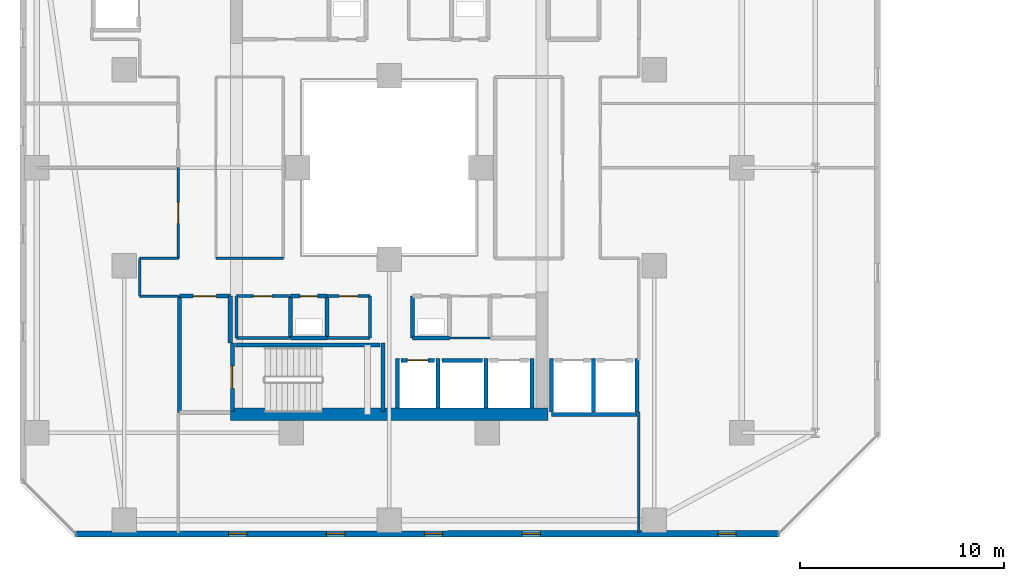
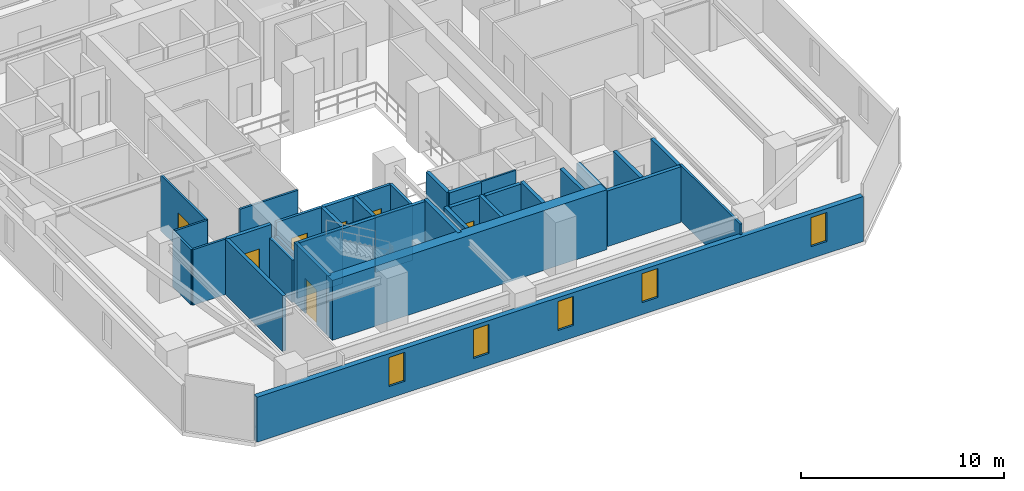
# One storey, part 16 of 31: 37 walls, 7 doors, 5 windows, 12 openings.
"""IFC4 building model written with IfcOpenShell, lengths in metres."""

from ifc_helpers import new_model, si_unit, direction, frame, frame_2d, origin, place, context, subcontext, project, spatial, rectangle, extrude, material, layer, layer_set, type_object, element, fill, save


model = new_model("IFC4")

# Units and contexts
model_context = context("Model", 3, precision=1e-05, world=origin(), true_north=direction((0.0, 1.0)))
body_context = subcontext(model_context, "Body", "Model", "MODEL_VIEW")
ifc_project = project(units=[si_unit("LENGTHUNIT", "METRE"), si_unit("AREAUNIT", "SQUARE_METRE"), si_unit("VOLUMEUNIT", "CUBIC_METRE"), si_unit("PLANEANGLEUNIT", "RADIAN"), si_unit("MASSUNIT", "GRAM", prefix="KILO")], contexts=[model_context])

# Site, building, storey
site_placement = place(None, origin())
site = spatial("IfcSite", under=ifc_project, at=site_placement, CompositionType="ELEMENT")
building_placement = place(site_placement, origin())
building = spatial("IfcBuilding", under=site, at=building_placement, Name="Thornwick Lancets Civic Towers", CompositionType="ELEMENT")
storey_placement = place(building_placement, frame((0.0, 0.0, 90.89990234375)))
storey = spatial("IfcBuildingStorey", under=building, at=storey_placement, Name="L23", CompositionType="ELEMENT", Elevation=90.89990234375)

# Wall, opening, door
ifc_material_1 = material(Name="Concrete blockwork C40/50", Category="masonry")
ifc_layer_1 = layer(ifc_material_1, 0.199951171875, Name="Concrete blockwork C40/50")
ifc_layer_set_1 = layer_set([ifc_layer_1], Name="Concrete blockwork C40/50")
wall_type_1 = type_object("IfcWallType", Name="WALL_COMP_200", PredefinedType="STANDARD", material=ifc_layer_set_1)
wall_1_placement = place(storey_placement, frame((26.080078125, 17.550048828125, 0.0), z_axis=(0.0, 0.0, 1.0), x_axis=(1.0, 0.0, 0.0)))
wall_1 = element("IfcWall", 1, at=wall_1_placement, inside=storey, type_object=wall_type_1, Name="L23 Hoistway Front Wall FL-A1", PredefinedType="STANDARD", context=body_context, shape_type="SweptSolid", body=[
    extrude(rectangle(XDim=1.639892578125, YDim=0.199951171875, at=frame_2d((0.81982421875, 0.0))), origin(), (0.0, 0.0, 1.0), 3.340087890625),
])
opening_1_placement = place(wall_1_placement, frame((0.31005859375, 0.0, 0.0)))
opening_1 = element("IfcOpeningElement", 2, at=opening_1_placement, cuts=wall_1, Name="Opening LD-FL-A1", PredefinedType="OPENING", context=body_context, shape_type="SweptSolid", body=[
    extrude(rectangle(XDim=1.02001953125, YDim=2.06005859375, at=frame_2d((0.510009765625, 1.030029296875))), frame((0.0, 0.10986328125, 0.0), z_axis=(0.0, -1.0, 0.0), x_axis=(1.0, 0.0, 0.0)), (0.0, 0.0, 1.0), 0.219970703125),
])
ifc_material_2 = material(Name="Brushed bronze stainless steel", Category="steel")
door_type_1 = type_object("IfcDoorType", Name="DOOR_LIFT_SLIDE", OperationType="SLIDING_TO_LEFT", PredefinedType="DOOR", material=ifc_material_2)
door_1_placement = place(opening_1_placement, origin())
door_1 = element("IfcDoor", 3, at=door_1_placement, inside=storey, type_object=door_type_1, Name="L23 Sliding Lift Landing Door LD-FL-A1", OperationType="SLIDING_TO_LEFT", OverallHeight=2.06005859375, OverallWidth=1.02001953125, PredefinedType="DOOR", context=body_context, shape_type="SweptSolid", body=[
    extrude(rectangle(XDim=1.02001953125, YDim=2.06005859375, at=frame_2d((0.510009765625, 1.030029296875))), frame((0.0, 0.02490234375, 0.0), z_axis=(0.0, -1.0, 0.0), x_axis=(1.0, 0.0, 0.0)), (0.0, 0.0, 1.0), 0.050048828125),
])
fill(opening_1, door_1)

# Walls
wall_2_placement = place(storey_placement, frame((28.080078125, 17.550048828125, 0.0), z_axis=(0.0, 0.0, 1.0), x_axis=(1.0, 0.0, 0.0)))
element("IfcWall", 4, at=wall_2_placement, inside=storey, type_object=wall_type_1, Name="L23 Hoistway Front Wall PL-AH1", PredefinedType="STANDARD", context=body_context, shape_type="SweptSolid", body=[
    extrude(rectangle(XDim=1.989990234375, YDim=0.199951171875, at=frame_2d((0.9951171875, 0.0))), origin(), (0.0, 0.0, 1.0), 3.340087890625),
])
for number, where, z_axis, x_axis, name in (
    (5, (27.89990234375, 15.2119140625, 0.0), (0.0, 0.0, 1.0), (0.0, 1.0, 0.0), "L23 Hoistway Shaft Wall FL-A1 E"),
    (6, (25.89990234375, 15.2119140625, 0.0), (0.0, 0.0, 1.0), (0.0, 1.0, 0.0), "L23 Hoistway Shaft Wall FL-A1 W"),
    (7, (30.25, 15.2119140625, 0.0), (0.0, 0.0, 1.0), (0.0, 1.0, 0.0), "L23 Hoistway Shaft Wall PL-AH1 E"),
    (8, (32.5, 15.2119140625, 0.0), (0.0, 0.0, 1.0), (0.0, 1.0, 0.0), "L23 Hoistway Shaft Wall PL-AL1 E"),
):
    element("IfcWall", number, at=place(storey_placement, frame(where, z_axis=z_axis, x_axis=x_axis)), inside=storey, type_object=wall_type_1, Name=name, PredefinedType="STANDARD", context=body_context, shape_type="SweptSolid", body=[
        extrude(rectangle(XDim=2.43603515625, YDim=0.199951171875, at=frame_2d((1.218017578125, 0.0))), origin(), (0.0, 0.0, 1.0), 3.340087890625),
    ])
wall_3_placement = place(storey_placement, frame((33.451904296875, 14.89990234375, 0.0), z_axis=(0.0, 0.0, 1.0), x_axis=(1.0, 0.0, 0.0)))
element("IfcWall", 9, at=wall_3_placement, inside=storey, type_object=wall_type_1, Name="L23 Hoistway Shaft Wall PL-AL2 S", PredefinedType="STANDARD", context=body_context, shape_type="SweptSolid", body=[
    extrude(rectangle(XDim=4.196044921875, YDim=0.199951171875, at=frame_2d((2.09814453125, 0.0))), origin(), (0.0, 0.0, 1.0), 3.340087890625),
])
for number, where, z_axis, x_axis, name in (
    (10, (35.52490234375, 15.011962890625, 0.0), (0.0, 0.0, 1.0), (0.0, 1.0, 0.0), "L23 Hoistway Shaft Wall PL-AL2 E"),
    (11, (33.449951171875, 15.011962890625, 0.0), (0.0, 0.0, 1.0), (0.0, 1.0, 0.0), "L23 Hoistway Shaft Wall PL-AL2 W"),
    (12, (37.64990234375, 15.011962890625, 0.0), (0.0, 0.0, 1.0), (0.0, 1.0, 0.0), "L23 Hoistway Shaft Wall PL-AL3 E"),
):
    element("IfcWall", number, at=place(storey_placement, frame(where, z_axis=z_axis, x_axis=x_axis)), inside=storey, type_object=wall_type_1, Name=name, PredefinedType="STANDARD", context=body_context, shape_type="SweptSolid", body=[
        extrude(rectangle(XDim=2.635986328125, YDim=0.199951171875, at=frame_2d((1.31787109375, 0.0))), origin(), (0.0, 0.0, 1.0), 3.340087890625),
    ])
wall_4_placement = place(storey_placement, frame((17.699951171875, 18.39990234375, 0.0), z_axis=(0.0, 0.0, 1.0), x_axis=(0.0, 1.0, 0.0)))
element("IfcWall", 13, at=wall_4_placement, inside=storey, type_object=wall_type_1, Name="L23 Partition L23-A-FFLOB1 E2", PredefinedType="STANDARD", context=body_context, shape_type="SweptSolid", body=[
    extrude(rectangle(XDim=2.300048828125, YDim=0.199951171875, at=frame_2d((1.14990234375, 0.0))), origin(), (0.0, 0.0, 1.0), 2.545166015625),
])

# Wall, opening, door
wall_5_placement = place(storey_placement, frame((17.699951171875, 20.699951171875, 0.0), z_axis=(0.0, 0.0, 1.0), x_axis=(-1.0, 0.0, 0.0)))
wall_5 = element("IfcWall", 14, at=wall_5_placement, inside=storey, type_object=wall_type_1, Name="L23 Partition L23-A-FFLOB1 E3", PredefinedType="STANDARD", context=body_context, shape_type="SweptSolid", body=[
    extrude(rectangle(XDim=2.5, YDim=0.199951171875, at=frame_2d((1.25, 0.0))), origin(), (0.0, 0.0, 1.0), 3.340087890625),
])
opening_2_placement = place(wall_5_placement, frame((0.675048828125, 0.0, 0.0)))
opening_2 = element("IfcOpeningElement", 15, at=opening_2_placement, cuts=wall_5, Name="Opening D-L23-1057", PredefinedType="OPENING", context=body_context, shape_type="SweptSolid", body=[
    extrude(rectangle(XDim=1.14990234375, YDim=2.10009765625, at=frame_2d((0.574951171875, 1.050048828125))), frame((0.0, 0.10986328125, 0.0), z_axis=(0.0, -1.0, 0.0), x_axis=(1.0, 0.0, 0.0)), (0.0, 0.0, 1.0), 0.219970703125),
])
ifc_material_3 = material(Name="Glazed fire-resisting steel", Category="steel")
door_type_2 = type_object("IfcDoorType", Name="DOOR_LOBBY_FD60", OperationType="NOTDEFINED", PredefinedType="DOOR", material=ifc_material_3)
door_2_placement = place(opening_2_placement, origin())
door_2 = element("IfcDoor", 16, at=door_2_placement, inside=storey, type_object=door_type_2, Name="L23 South Firefighting Lobby 1 Door", OperationType="SINGLE_SWING_RIGHT", OverallHeight=2.10009765625, OverallWidth=1.14990234375, PredefinedType="DOOR", context=body_context, shape_type="SweptSolid", body=[
    extrude(rectangle(XDim=1.14990234375, YDim=2.10009765625, at=frame_2d((0.574951171875, 1.050048828125))), frame((0.0, 0.02490234375, 0.0), z_axis=(0.0, -1.0, 0.0), x_axis=(1.0, 0.0, 0.0)), (0.0, 0.0, 1.0), 0.050048828125),
])
fill(opening_2, door_2)

# Walls
wall_6_placement = place(storey_placement, frame((15.199951171875, 20.699951171875, 0.0), z_axis=(0.0, 0.0, 1.0), x_axis=(0.0, -1.0, 0.0)))
element("IfcWall", 17, at=wall_6_placement, inside=storey, type_object=wall_type_1, Name="L23 Partition L23-A-FFLOB1 E4", PredefinedType="STANDARD", context=body_context, shape_type="SweptSolid", body=[
    extrude(rectangle(XDim=5.699951171875, YDim=0.199951171875, at=frame_2d((2.85009765625, 0.0))), origin(), (0.0, 0.0, 1.0), 3.340087890625),
])
wall_7_placement = place(storey_placement, frame((26.64990234375, 18.64990234375, 0.0), z_axis=(0.0, 0.0, 1.0), x_axis=(1.0, 0.0, 0.0)))
element("IfcWall", 18, at=wall_7_placement, inside=storey, type_object=wall_type_1, Name="L23 Partition L23-A-DUCT1 E1", PredefinedType="STANDARD", context=body_context, shape_type="SweptSolid", body=[
    extrude(rectangle(XDim=1.800048828125, YDim=0.199951171875, at=frame_2d((0.89990234375, 0.0))), origin(), (0.0, 0.0, 1.0), 3.340087890625),
])
wall_8_placement = place(storey_placement, frame((26.64990234375, 20.699951171875, 0.0), z_axis=(0.0, 0.0, 1.0), x_axis=(0.0, -1.0, 0.0)))
element("IfcWall", 19, at=wall_8_placement, inside=storey, type_object=wall_type_1, Name="L23 Partition L23-A-DUCT1 E4", PredefinedType="STANDARD", context=body_context, shape_type="SweptSolid", body=[
    extrude(rectangle(XDim=2.050048828125, YDim=0.199951171875, at=frame_2d((1.02490234375, 0.0))), origin(), (0.0, 0.0, 1.0), 3.340087890625),
])
wall_9_placement = place(storey_placement, frame((20.64990234375, 18.64990234375, 0.0), z_axis=(0.0, 0.0, 1.0), x_axis=(1.0, 0.0, 0.0)))
element("IfcWall", 20, at=wall_9_placement, inside=storey, type_object=wall_type_1, Name="L23 Partition L23-A-RISER1 E1", PredefinedType="STANDARD", context=body_context, shape_type="SweptSolid", body=[
    extrude(rectangle(XDim=1.800048828125, YDim=0.199951171875, at=frame_2d((0.89990234375, 0.0))), origin(), (0.0, 0.0, 1.0), 3.340087890625),
])
wall_10_placement = place(storey_placement, frame((22.449951171875, 18.64990234375, 0.0), z_axis=(0.0, 0.0, 1.0), x_axis=(0.0, 1.0, 0.0)))
element("IfcWall", 21, at=wall_10_placement, inside=storey, type_object=wall_type_1, Name="L23 Partition L23-A-RISER1 E2", PredefinedType="STANDARD", context=body_context, shape_type="SweptSolid", body=[
    extrude(rectangle(XDim=2.050048828125, YDim=0.199951171875, at=frame_2d((1.02490234375, 0.0))), origin(), (0.0, 0.0, 1.0), 3.340087890625),
])

# Wall, opening, door
wall_11_placement = place(storey_placement, frame((22.449951171875, 20.699951171875, 0.0), z_axis=(0.0, 0.0, 1.0), x_axis=(-1.0, 0.0, 0.0)))
wall_11 = element("IfcWall", 22, at=wall_11_placement, inside=storey, type_object=wall_type_1, Name="L23 Partition L23-A-RISER1 E3", PredefinedType="STANDARD", context=body_context, shape_type="SweptSolid", body=[
    extrude(rectangle(XDim=1.800048828125, YDim=0.199951171875, at=frame_2d((0.89990234375, 0.0))), origin(), (0.0, 0.0, 1.0), 3.340087890625),
])
opening_3_placement = place(wall_11_placement, frame((0.4599609375, 0.0, 0.0)))
opening_3 = element("IfcOpeningElement", 23, at=opening_3_placement, cuts=wall_11, Name="Opening D-L23-1060", PredefinedType="OPENING", context=body_context, shape_type="SweptSolid", body=[
    extrude(rectangle(XDim=0.8798828125, YDim=2.0400390625, at=frame_2d((0.43994140625, 1.02001953125))), frame((0.0, 0.10986328125, 0.0), z_axis=(0.0, -1.0, 0.0), x_axis=(1.0, 0.0, 0.0)), (0.0, 0.0, 1.0), 0.219970703125),
])
ifc_material_4 = material(Name="Steel riser access doorset", Category="steel")
door_type_3 = type_object("IfcDoorType", Name="DOOR_RISER_850", OperationType="NOTDEFINED", PredefinedType="DOOR", material=ifc_material_4)
door_3_placement = place(opening_3_placement, origin())
door_3 = element("IfcDoor", 24, at=door_3_placement, inside=storey, type_object=door_type_3, Name="L23 South Electrical Riser 1 Door", OperationType="SINGLE_SWING_LEFT", OverallHeight=2.0400390625, OverallWidth=0.8798828125, PredefinedType="DOOR", context=body_context, shape_type="SweptSolid", body=[
    extrude(rectangle(XDim=0.8798828125, YDim=2.0400390625, at=frame_2d((0.43994140625, 1.02001953125))), frame((0.0, 0.02490234375, 0.0), z_axis=(0.0, -1.0, 0.0), x_axis=(1.0, 0.0, 0.0)), (0.0, 0.0, 1.0), 0.050048828125),
])
fill(opening_3, door_3)

# Walls
wall_12_placement = place(storey_placement, frame((20.64990234375, 20.699951171875, 0.0), z_axis=(0.0, 0.0, 1.0), x_axis=(0.0, -1.0, 0.0)))
element("IfcWall", 25, at=wall_12_placement, inside=storey, type_object=wall_type_1, Name="L23 Partition L23-A-RISER1 E4", PredefinedType="STANDARD", context=body_context, shape_type="SweptSolid", body=[
    extrude(rectangle(XDim=2.050048828125, YDim=0.199951171875, at=frame_2d((1.02490234375, 0.0))), origin(), (0.0, 0.0, 1.0), 3.340087890625),
])
ifc_material_5 = material(Name="Concrete C60/75", Category="concrete")
ifc_layer_2 = layer(ifc_material_5, 0.60009765625, Name="Concrete C60/75")
ifc_layer_set_2 = layer_set([ifc_layer_2], Name="Concrete C60/75")
wall_type_2 = type_object("IfcWallType", Name="WALL_CORE_600", PredefinedType="SHEAR", material=ifc_layer_set_2)
wall_13_placement = place(storey_placement, frame((17.699951171875, 14.89990234375, 0.0), z_axis=(0.0, 0.0, 1.0), x_axis=(1.0, 0.0, 0.0)))
element("IfcWall", 26, at=wall_13_placement, inside=storey, type_object=wall_type_2, Name="L23 Split Core A1 Shear Wall S", PredefinedType="SHEAR", context=body_context, shape_type="SweptSolid", body=[
    extrude(rectangle(XDim=15.60009765625, YDim=0.60009765625, at=frame_2d((7.800048828125, 0.0))), origin(), (0.0, 0.0, 1.0), 3.60009765625),
])

# Wall, openings, windows
ifc_material_6 = material(Name="Insulated russet terracotta rainscreen on concrete C40/50", Category="masonry")
ifc_layer_3 = layer(ifc_material_6, 0.300048828125, Name="Insulated russet terracotta rainscreen on concrete C40/50")
ifc_layer_set_3 = layer_set([ifc_layer_3], Name="Insulated russet terracotta rainscreen on concrete C40/50")
wall_type_3 = type_object("IfcWallType", Name="WALL_EXT_RUSSET_300", PredefinedType="STANDARD", material=ifc_layer_set_3)
wall_14_placement = place(storey_placement, frame((10.11865234375, 9.035400390625, 0.0), z_axis=(0.0, 0.0, 1.0), x_axis=(0.99999997744, 0.000212414941, 0.0)))
wall_14 = element("IfcWall", 27, at=wall_14_placement, inside=storey, type_object=wall_type_3, Name="L23 Tower A Terracotta Facade Wall E0", PredefinedType="STANDARD", context=body_context, shape_type="SweptSolid", body=[
    extrude(rectangle(XDim=34.480712890625, YDim=0.300048828125, at=frame_2d((17.240234375, 0.0))), origin(), (0.0, 0.0, 1.0), 2.7001953125),
])
opening_4_placement = place(wall_14_placement, frame((7.5, 0.0, 0.719970703125)))
opening_4 = element("IfcOpeningElement", 28, at=opening_4_placement, cuts=wall_14, Name="Opening WL-01", PredefinedType="OPENING", context=body_context, shape_type="SweptSolid", body=[
    extrude(rectangle(XDim=0.89990234375, YDim=1.75, at=frame_2d((0.449951171875, 0.875))), frame((0.0, 0.16015625, 0.0), z_axis=(0.0, -1.0, 0.0), x_axis=(1.0, 0.0, 0.0)), (0.0, 0.0, 1.0), 0.320068359375),
])
opening_5_placement = place(wall_14_placement, frame((12.300048828125, 0.0, 0.719970703125)))
opening_5 = element("IfcOpeningElement", 29, at=opening_5_placement, cuts=wall_14, Name="Opening WL-01", PredefinedType="OPENING", context=body_context, shape_type="SweptSolid", body=[
    extrude(rectangle(XDim=0.89990234375, YDim=1.75, at=frame_2d((0.449951171875, 0.875))), frame((0.0, 0.16015625, 0.0), z_axis=(0.0, -1.0, 0.0), x_axis=(1.0, 0.0, 0.0)), (0.0, 0.0, 1.0), 0.320068359375),
])
opening_6_placement = place(wall_14_placement, frame((17.10009765625, 0.0, 0.719970703125)))
opening_6 = element("IfcOpeningElement", 30, at=opening_6_placement, cuts=wall_14, Name="Opening WL-01", PredefinedType="OPENING", context=body_context, shape_type="SweptSolid", body=[
    extrude(rectangle(XDim=0.89990234375, YDim=1.75, at=frame_2d((0.449951171875, 0.875))), frame((0.0, 0.16015625, 0.0), z_axis=(0.0, -1.0, 0.0), x_axis=(1.0, 0.0, 0.0)), (0.0, 0.0, 1.0), 0.320068359375),
])
opening_7_placement = place(wall_14_placement, frame((21.89990234375, 0.0, 0.719970703125)))
opening_7 = element("IfcOpeningElement", 31, at=opening_7_placement, cuts=wall_14, Name="Opening WL-01", PredefinedType="OPENING", context=body_context, shape_type="SweptSolid", body=[
    extrude(rectangle(XDim=0.89990234375, YDim=1.75, at=frame_2d((0.449951171875, 0.875))), frame((0.0, 0.16015625, 0.0), z_axis=(0.0, -1.0, 0.0), x_axis=(1.0, 0.0, 0.0)), (0.0, 0.0, 1.0), 0.320068359375),
])
opening_8_placement = place(wall_14_placement, frame((31.5, 0.0, 0.719970703125)))
opening_8 = element("IfcOpeningElement", 32, at=opening_8_placement, cuts=wall_14, Name="Opening WL-01", PredefinedType="OPENING", context=body_context, shape_type="SweptSolid", body=[
    extrude(rectangle(XDim=0.89990234375, YDim=1.75, at=frame_2d((0.449951171875, 0.875))), frame((0.0, 0.16015625, 0.0), z_axis=(0.0, -1.0, 0.0), x_axis=(1.0, 0.0, 0.0)), (0.0, 0.0, 1.0), 0.320068359375),
])
ifc_material_7 = material(Name="Clear low-e double glazing in bronze frame", Category="glass")
window_type = type_object("IfcWindowType", Name="WIN_LANCET_900", PartitioningType="SINGLE_PANEL", PredefinedType="WINDOW", material=ifc_material_7)
window_1_placement = place(opening_4_placement, origin())
window_1 = element("IfcWindow", 33, at=window_1_placement, inside=storey, type_object=window_type, Name="L23 Tower A Staggered Lancet Window E0-1", OverallHeight=1.75, OverallWidth=0.89990234375, PartitioningType="SINGLE_PANEL", PredefinedType="WINDOW", context=body_context, shape_type="SweptSolid", body=[
    extrude(rectangle(XDim=0.89990234375, YDim=1.75, at=frame_2d((0.449951171875, 0.875))), frame((0.0, 0.030029296875, 0.0), z_axis=(0.0, -1.0, 0.0), x_axis=(1.0, 0.0, 0.0)), (0.0, 0.0, 1.0), 0.06005859375),
])
fill(opening_4, window_1)
window_2_placement = place(opening_5_placement, origin())
window_2 = element("IfcWindow", 34, at=window_2_placement, inside=storey, type_object=window_type, Name="L23 Tower A Staggered Lancet Window E0-2", OverallHeight=1.75, OverallWidth=0.89990234375, PartitioningType="SINGLE_PANEL", PredefinedType="WINDOW", context=body_context, shape_type="SweptSolid", body=[
    extrude(rectangle(XDim=0.89990234375, YDim=1.75, at=frame_2d((0.449951171875, 0.875))), frame((0.0, 0.030029296875, 0.0), z_axis=(0.0, -1.0, 0.0), x_axis=(1.0, 0.0, 0.0)), (0.0, 0.0, 1.0), 0.06005859375),
])
fill(opening_5, window_2)
window_3_placement = place(opening_6_placement, origin())
window_3 = element("IfcWindow", 35, at=window_3_placement, inside=storey, type_object=window_type, Name="L23 Tower A Staggered Lancet Window E0-3", OverallHeight=1.75, OverallWidth=0.89990234375, PartitioningType="SINGLE_PANEL", PredefinedType="WINDOW", context=body_context, shape_type="SweptSolid", body=[
    extrude(rectangle(XDim=0.89990234375, YDim=1.75, at=frame_2d((0.449951171875, 0.875))), frame((0.0, 0.030029296875, 0.0), z_axis=(0.0, -1.0, 0.0), x_axis=(1.0, 0.0, 0.0)), (0.0, 0.0, 1.0), 0.06005859375),
])
fill(opening_6, window_3)
window_4_placement = place(opening_7_placement, origin())
window_4 = element("IfcWindow", 36, at=window_4_placement, inside=storey, type_object=window_type, Name="L23 Tower A Staggered Lancet Window E0-4", OverallHeight=1.75, OverallWidth=0.89990234375, PartitioningType="SINGLE_PANEL", PredefinedType="WINDOW", context=body_context, shape_type="SweptSolid", body=[
    extrude(rectangle(XDim=0.89990234375, YDim=1.75, at=frame_2d((0.449951171875, 0.875))), frame((0.0, 0.030029296875, 0.0), z_axis=(0.0, -1.0, 0.0), x_axis=(1.0, 0.0, 0.0)), (0.0, 0.0, 1.0), 0.06005859375),
])
fill(opening_7, window_4)
window_5_placement = place(opening_8_placement, origin())
window_5 = element("IfcWindow", 37, at=window_5_placement, inside=storey, type_object=window_type, Name="L23 Tower A Staggered Lancet Window E0-5", OverallHeight=1.75, OverallWidth=0.89990234375, PartitioningType="SINGLE_PANEL", PredefinedType="WINDOW", context=body_context, shape_type="SweptSolid", body=[
    extrude(rectangle(XDim=0.89990234375, YDim=1.75, at=frame_2d((0.449951171875, 0.875))), frame((0.0, 0.030029296875, 0.0), z_axis=(0.0, -1.0, 0.0), x_axis=(1.0, 0.0, 0.0)), (0.0, 0.0, 1.0), 0.06005859375),
])
fill(opening_8, window_5)

# Wall
ifc_material_8 = material(Name="Lightweight cellular office partition")
ifc_layer_4 = layer(ifc_material_8, 0.10009765625, Name="Lightweight cellular office partition")
ifc_layer_set_4 = layer_set([ifc_layer_4], Name="Lightweight cellular office partition")
wall_type_4 = type_object("IfcWallType", Name="WALL_PART_100", PredefinedType="PARTITIONING", material=ifc_layer_set_4)
wall_15_placement = place(storey_placement, frame((30.449951171875, 18.64990234375, 0.0), z_axis=(0.0, 0.0, 1.0), x_axis=(-1.0, 0.0, 0.0)))
element("IfcWall", 38, at=wall_15_placement, inside=storey, type_object=wall_type_4, Name="L23 Partition L23-A-CLN E2", PredefinedType="PARTITIONING", context=body_context, shape_type="SweptSolid", body=[
    extrude(rectangle(XDim=2.0, YDim=0.10009765625, at=frame_2d((1.0, 0.0))), origin(), (0.0, 0.0, 1.0), 3.340087890625),
])

# Wall, opening, door
ifc_material_9 = material(Name="Acoustic gypsum board partition")
ifc_layer_5 = layer(ifc_material_9, 0.1201171875, Name="Acoustic gypsum board partition")
ifc_layer_set_5 = layer_set([ifc_layer_5], Name="Acoustic gypsum board partition")
wall_type_5 = type_object("IfcWallType", Name="WALL_PART_120", PredefinedType="PARTITIONING", material=ifc_layer_set_5)
wall_16_placement = place(storey_placement, frame((15.14990234375, 27.0, 0.0), z_axis=(0.0, 0.0, 1.0), x_axis=(0.0, -1.0, 0.0)))
wall_16 = element("IfcWall", 39, at=wall_16_placement, inside=storey, type_object=wall_type_5, Name="L23 Partition L23-A-W1 E9", PredefinedType="PARTITIONING", context=body_context, shape_type="SweptSolid", body=[
    extrude(rectangle(XDim=4.449951171875, YDim=0.1201171875, at=frame_2d((2.22509765625, 0.0))), origin(), (0.0, 0.0, 1.0), 3.340087890625),
])
opening_9_placement = place(wall_16_placement, frame((1.699951171875, 0.0, 0.0)))
opening_9 = element("IfcOpeningElement", 40, at=opening_9_placement, cuts=wall_16, Name="Opening D-L23-1081", PredefinedType="OPENING", context=body_context, shape_type="SweptSolid", body=[
    extrude(rectangle(XDim=1.050048828125, YDim=2.10009765625, at=frame_2d((0.52490234375, 1.050048828125))), frame((0.0, 0.070068359375, 0.0), z_axis=(0.0, -1.0, 0.0), x_axis=(1.0, 0.0, 0.0)), (0.0, 0.0, 1.0), 0.14013671875),
])
ifc_material_10 = material(Name="Glazed European oak executive doorset")
door_type_4 = type_object("IfcDoorType", Name="DOOR_OFFICE_1050", OperationType="NOTDEFINED", PredefinedType="DOOR", material=ifc_material_10)
door_4_placement = place(opening_9_placement, origin())
door_4 = element("IfcDoor", 41, at=door_4_placement, inside=storey, type_object=door_type_4, Name="L23 Tower A Ministry Directorate Office W1 Door", OperationType="SINGLE_SWING_RIGHT", OverallHeight=2.10009765625, OverallWidth=1.050048828125, PredefinedType="DOOR", context=body_context, shape_type="SweptSolid", body=[
    extrude(rectangle(XDim=1.050048828125, YDim=2.10009765625, at=frame_2d((0.52490234375, 1.050048828125))), frame((0.0, 0.02490234375, 0.0), z_axis=(0.0, -1.0, 0.0), x_axis=(1.0, 0.0, 0.0)), (0.0, 0.0, 1.0), 0.050048828125),
])
fill(opening_9, door_4)

# Walls
wall_17_placement = place(storey_placement, frame((15.14990234375, 22.550048828125, 0.0), z_axis=(0.0, 0.0, 1.0), x_axis=(-1.0, 0.0, 0.0)))
element("IfcWall", 42, at=wall_17_placement, inside=storey, type_object=wall_type_5, Name="L23 Partition L23-A-W1 E10", PredefinedType="PARTITIONING", context=body_context, shape_type="SweptSolid", body=[
    extrude(rectangle(XDim=1.89990234375, YDim=0.1201171875, at=frame_2d((0.949951171875, 0.0))), origin(), (0.0, 0.0, 1.0), 3.340087890625),
])
wall_18_placement = place(storey_placement, frame((13.25, 22.550048828125, 0.0), z_axis=(0.0, 0.0, 1.0), x_axis=(0.0, -1.0, 0.0)))
element("IfcWall", 43, at=wall_18_placement, inside=storey, type_object=wall_type_5, Name="L23 Partition L23-A-W1 E11", PredefinedType="PARTITIONING", context=body_context, shape_type="SweptSolid", body=[
    extrude(rectangle(XDim=1.85009765625, YDim=0.1201171875, at=frame_2d((0.925048828125, 0.0))), origin(), (0.0, 0.0, 1.0), 3.340087890625),
])
wall_19_placement = place(storey_placement, frame((13.25, 20.699951171875, 0.0), z_axis=(0.0, 0.0, 1.0), x_axis=(1.0, 0.0, 0.0)))
element("IfcWall", 44, at=wall_19_placement, inside=storey, type_object=wall_type_5, Name="L23 Partition L23-A-W1 E12", PredefinedType="PARTITIONING", context=body_context, shape_type="SweptSolid", body=[
    extrude(rectangle(XDim=1.89990234375, YDim=0.1201171875, at=frame_2d((0.949951171875, 0.0))), origin(), (0.0, 0.0, 1.0), 3.340087890625),
])
wall_20_placement = place(storey_placement, frame((37.75, 9.080078125, 0.0), z_axis=(0.0, 0.0, 1.0), x_axis=(0.0, 1.0, 0.0)))
element("IfcWall", 45, at=wall_20_placement, inside=storey, type_object=wall_type_5, Name="L23 Partition L23-A-E1 E9", PredefinedType="PARTITIONING", context=body_context, shape_type="SweptSolid", body=[
    extrude(rectangle(XDim=5.931884765625, YDim=0.1201171875, at=frame_2d((2.9658203125, 0.0))), origin(), (0.0, 0.0, 1.0), 3.340087890625),
])
wall_21_placement = place(storey_placement, frame((20.300048828125, 22.550048828125, 0.0), z_axis=(0.0, 0.0, 1.0), x_axis=(-1.0, 0.0, 0.0)))
element("IfcWall", 46, at=wall_21_placement, inside=storey, type_object=wall_type_5, Name="L23 Partition L23-A-ATR-W E4", PredefinedType="PARTITIONING", context=body_context, shape_type="SweptSolid", body=[
    extrude(rectangle(XDim=3.300048828125, YDim=0.1201171875, at=frame_2d((1.64990234375, 0.0))), origin(), (0.0, 0.0, 1.0), 3.340087890625),
])
ifc_material_11 = material(Name="Twin-stud acoustic gypsum board")
ifc_layer_6 = layer(ifc_material_11, 0.14990234375, Name="Twin-stud acoustic gypsum board")
ifc_layer_set_6 = layer_set([ifc_layer_6], Name="Twin-stud acoustic gypsum board")
wall_type_6 = type_object("IfcWallType", Name="WALL_PART_150", PredefinedType="PARTITIONING", material=ifc_layer_set_6)
wall_22_placement = place(storey_placement, frame((18.0, 18.64990234375, 0.0), z_axis=(0.0, 0.0, 1.0), x_axis=(1.0, 0.0, 0.0)))
element("IfcWall", 47, at=wall_22_placement, inside=storey, type_object=wall_type_6, Name="L23 Partition L23-A-MWC E1", PredefinedType="PARTITIONING", context=body_context, shape_type="SweptSolid", body=[
    extrude(rectangle(XDim=2.60009765625, YDim=0.14990234375, at=frame_2d((1.300048828125, 0.0))), origin(), (0.0, 0.0, 1.0), 3.340087890625),
])

# Wall, opening, door
wall_23_placement = place(storey_placement, frame((20.60009765625, 20.699951171875, 0.0), z_axis=(0.0, 0.0, 1.0), x_axis=(-1.0, 0.0, 0.0)))
wall_23 = element("IfcWall", 48, at=wall_23_placement, inside=storey, type_object=wall_type_6, Name="L23 Partition L23-A-MWC E3", PredefinedType="PARTITIONING", context=body_context, shape_type="SweptSolid", body=[
    extrude(rectangle(XDim=2.60009765625, YDim=0.14990234375, at=frame_2d((1.300048828125, 0.0))), origin(), (0.0, 0.0, 1.0), 3.340087890625),
])
opening_10_placement = place(wall_23_placement, frame((0.840087890625, 0.0, 0.0)))
opening_10 = element("IfcOpeningElement", 49, at=opening_10_placement, cuts=wall_23, Name="Opening D-L23-1063", PredefinedType="OPENING", context=body_context, shape_type="SweptSolid", body=[
    extrude(rectangle(XDim=0.919921875, YDim=2.080078125, at=frame_2d((0.4599609375, 1.0400390625))), frame((0.0, 0.0849609375, 0.0), z_axis=(0.0, -1.0, 0.0), x_axis=(1.0, 0.0, 0.0)), (0.0, 0.0, 1.0), 0.169921875),
])
ifc_material_12 = material(Name="Moisture-resistant oak doorset")
door_type_5 = type_object("IfcDoorType", Name="DOOR_WC_900", OperationType="NOTDEFINED", PredefinedType="DOOR", material=ifc_material_12)
door_5_placement = place(opening_10_placement, origin())
door_5 = element("IfcDoor", 50, at=door_5_placement, inside=storey, type_object=door_type_5, Name="L23 Tower A Male WC Door", OperationType="SINGLE_SWING_RIGHT", OverallHeight=2.080078125, OverallWidth=0.919921875, PredefinedType="DOOR", context=body_context, shape_type="SweptSolid", body=[
    extrude(rectangle(XDim=0.919921875, YDim=2.080078125, at=frame_2d((0.4599609375, 1.0400390625))), frame((0.0, 0.02490234375, 0.0), z_axis=(0.0, -1.0, 0.0), x_axis=(1.0, 0.0, 0.0)), (0.0, 0.0, 1.0), 0.050048828125),
])
fill(opening_10, door_5)

# Walls
wall_24_placement = place(storey_placement, frame((18.0, 20.699951171875, 0.0), z_axis=(0.0, 0.0, 1.0), x_axis=(0.0, -1.0, 0.0)))
element("IfcWall", 51, at=wall_24_placement, inside=storey, type_object=wall_type_6, Name="L23 Partition L23-A-MWC E4", PredefinedType="PARTITIONING", context=body_context, shape_type="SweptSolid", body=[
    extrude(rectangle(XDim=2.050048828125, YDim=0.14990234375, at=frame_2d((1.02490234375, 0.0))), origin(), (0.0, 0.0, 1.0), 2.545166015625),
])
wall_25_placement = place(storey_placement, frame((24.550048828125, 20.699951171875, 0.0), z_axis=(0.0, 0.0, 1.0), x_axis=(0.0, -1.0, 0.0)))
element("IfcWall", 52, at=wall_25_placement, inside=storey, type_object=wall_type_6, Name="L23 Partition L23-A-AWC E1", PredefinedType="PARTITIONING", context=body_context, shape_type="SweptSolid", body=[
    extrude(rectangle(XDim=2.050048828125, YDim=0.14990234375, at=frame_2d((1.02490234375, 0.0))), origin(), (0.0, 0.0, 1.0), 3.340087890625),
])
wall_26_placement = place(storey_placement, frame((24.550048828125, 18.64990234375, 0.0), z_axis=(0.0, 0.0, 1.0), x_axis=(-1.0, 0.0, 0.0)))
element("IfcWall", 53, at=wall_26_placement, inside=storey, type_object=wall_type_6, Name="L23 Partition L23-A-AWC E2", PredefinedType="PARTITIONING", context=body_context, shape_type="SweptSolid", body=[
    extrude(rectangle(XDim=2.10009765625, YDim=0.14990234375, at=frame_2d((1.050048828125, 0.0))), origin(), (0.0, 0.0, 1.0), 3.340087890625),
])

# Wall, opening, door
wall_27_placement = place(storey_placement, frame((22.449951171875, 20.699951171875, 0.0), z_axis=(0.0, 0.0, 1.0), x_axis=(1.0, 0.0, 0.0)))
wall_27 = element("IfcWall", 54, at=wall_27_placement, inside=storey, type_object=wall_type_6, Name="L23 Partition L23-A-AWC E4", PredefinedType="PARTITIONING", context=body_context, shape_type="SweptSolid", body=[
    extrude(rectangle(XDim=2.10009765625, YDim=0.14990234375, at=frame_2d((1.050048828125, 0.0))), origin(), (0.0, 0.0, 1.0), 3.340087890625),
])
opening_11_placement = place(wall_27_placement, frame((0.590087890625, 0.0, 0.0)))
opening_11 = element("IfcOpeningElement", 55, at=opening_11_placement, cuts=wall_27, Name="Opening D-L23-1064", PredefinedType="OPENING", context=body_context, shape_type="SweptSolid", body=[
    extrude(rectangle(XDim=0.919921875, YDim=2.080078125, at=frame_2d((0.4599609375, 1.0400390625))), frame((0.0, 0.0849609375, 0.0), z_axis=(0.0, -1.0, 0.0), x_axis=(1.0, 0.0, 0.0)), (0.0, 0.0, 1.0), 0.169921875),
])
door_6_placement = place(opening_11_placement, origin())
door_6 = element("IfcDoor", 56, at=door_6_placement, inside=storey, type_object=door_type_5, Name="L23 Tower A Accessible WC Door", OperationType="SINGLE_SWING_LEFT", OverallHeight=2.080078125, OverallWidth=0.919921875, PredefinedType="DOOR", context=body_context, shape_type="SweptSolid", body=[
    extrude(rectangle(XDim=0.919921875, YDim=2.080078125, at=frame_2d((0.4599609375, 1.0400390625))), frame((0.0, 0.02490234375, 0.0), z_axis=(0.0, -1.0, 0.0), x_axis=(1.0, 0.0, 0.0)), (0.0, 0.0, 1.0), 0.050048828125),
])
fill(opening_11, door_6)

ifc_material_13 = material(Name="Concrete C40/50", Category="concrete")
ifc_layer_7 = layer(ifc_material_13, 0.199951171875, Name="Concrete C40/50")
ifc_layer_set_7 = layer_set([ifc_layer_7], Name="Concrete C40/50")
wall_type_7 = type_object("IfcWallType", Name="WALL_SHAFT_200", PredefinedType="SHEAR", material=ifc_layer_set_7)
wall_28_placement = place(storey_placement, frame((17.800048828125, 15.050048828125, 0.0), z_axis=(0.0, 0.0, 1.0), x_axis=(0.0, 1.0, 0.0)))
wall_28 = element("IfcWall", 57, at=wall_28_placement, inside=storey, type_object=wall_type_7, Name="L23 ST-A1 Fire Stair Core Wall NEAR", PredefinedType="SHEAR", context=body_context, shape_type="SweptSolid", body=[
    extrude(rectangle(XDim=3.349853515625, YDim=0.199951171875, at=frame_2d((1.6748046875, 0.0))), origin(), (0.0, 0.0, 1.0), 3.60009765625),
])
opening_12_placement = place(wall_28_placement, frame((1.125, 0.0, 0.0)))
opening_12 = element("IfcOpeningElement", 58, at=opening_12_placement, cuts=wall_28, Name="Opening D-ST-A1-L23", PredefinedType="OPENING", context=body_context, shape_type="SweptSolid", body=[
    extrude(rectangle(XDim=1.10009765625, YDim=2.10009765625, at=frame_2d((0.550048828125, 1.050048828125))), frame((0.0, 0.10986328125, 0.0), z_axis=(0.0, -1.0, 0.0), x_axis=(1.0, 0.0, 0.0)), (0.0, 0.0, 1.0), 0.219970703125),
])
ifc_material_14 = material(Name="Fire-resisting steel and hardwood", Category="steel")
door_type_6 = type_object("IfcDoorType", Name="DOOR_STAIR_FD60", OperationType="NOTDEFINED", PredefinedType="DOOR", material=ifc_material_14)
door_7_placement = place(opening_12_placement, origin())
door_7 = element("IfcDoor", 59, at=door_7_placement, inside=storey, type_object=door_type_6, Name="L23 ST-A1 Exit Stair Door", OperationType="SINGLE_SWING_RIGHT", OverallHeight=2.10009765625, OverallWidth=1.10009765625, PredefinedType="DOOR", context=body_context, shape_type="SweptSolid", body=[
    extrude(rectangle(XDim=1.10009765625, YDim=2.10009765625, at=frame_2d((0.550048828125, 1.050048828125))), frame((0.0, 0.02490234375, 0.0), z_axis=(0.0, -1.0, 0.0), x_axis=(1.0, 0.0, 0.0)), (0.0, 0.0, 1.0), 0.050048828125),
])
fill(opening_12, door_7)

# Walls
wall_29_placement = place(storey_placement, frame((25.199951171875, 18.39990234375, 0.0), z_axis=(0.0, 0.0, 1.0), x_axis=(0.0, -1.0, 0.0)))
element("IfcWall", 60, at=wall_29_placement, inside=storey, type_object=wall_type_7, Name="L23 ST-A1 Fire Stair Core Wall FAR", PredefinedType="SHEAR", context=body_context, shape_type="SweptSolid", body=[
    extrude(rectangle(XDim=3.349853515625, YDim=0.199951171875, at=frame_2d((1.6748046875, 0.0))), origin(), (0.0, 0.0, 1.0), 3.60009765625),
])
wall_30_placement = place(storey_placement, frame((25.050048828125, 18.297119140625, 0.0), z_axis=(0.0, 0.0, 1.0), x_axis=(-1.0, 0.0, 0.0)))
element("IfcWall", 61, at=wall_30_placement, inside=storey, type_object=wall_type_7, Name="L23 ST-A1 Fire Stair Core Wall RIGHT", PredefinedType="SHEAR", context=body_context, shape_type="SweptSolid", body=[
    extrude(rectangle(XDim=7.10009765625, YDim=0.199951171875, at=frame_2d((3.550048828125, 0.0))), origin(), (0.0, 0.0, 1.0), 3.60009765625),
])

save(model, "model.ifc")
